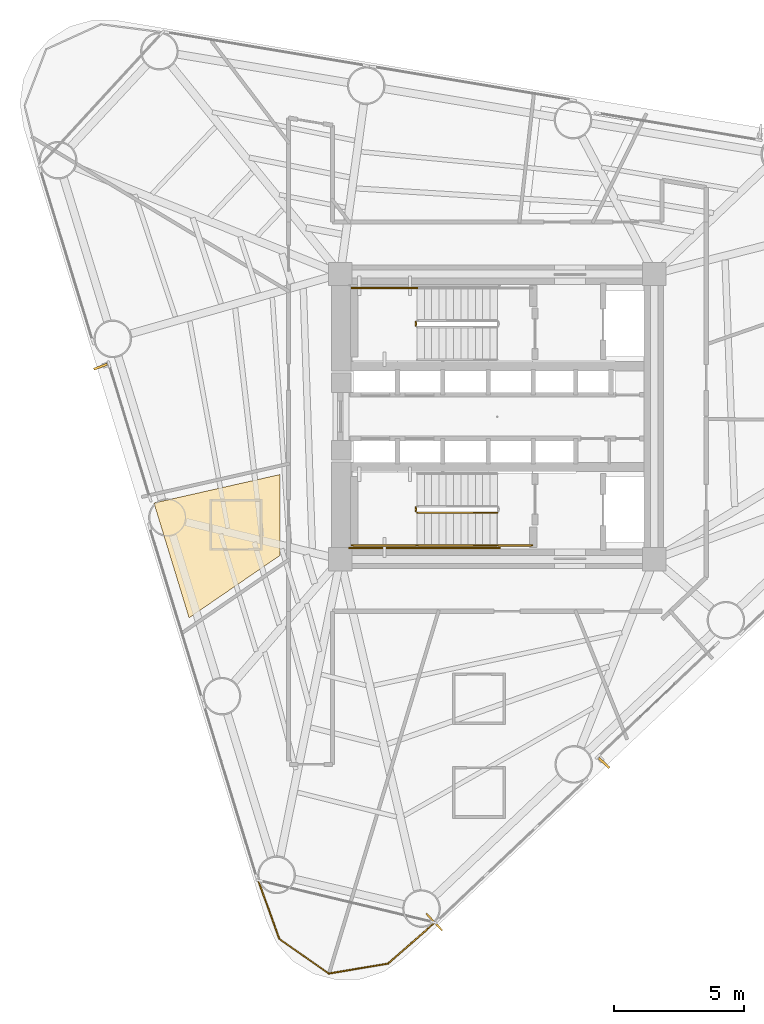
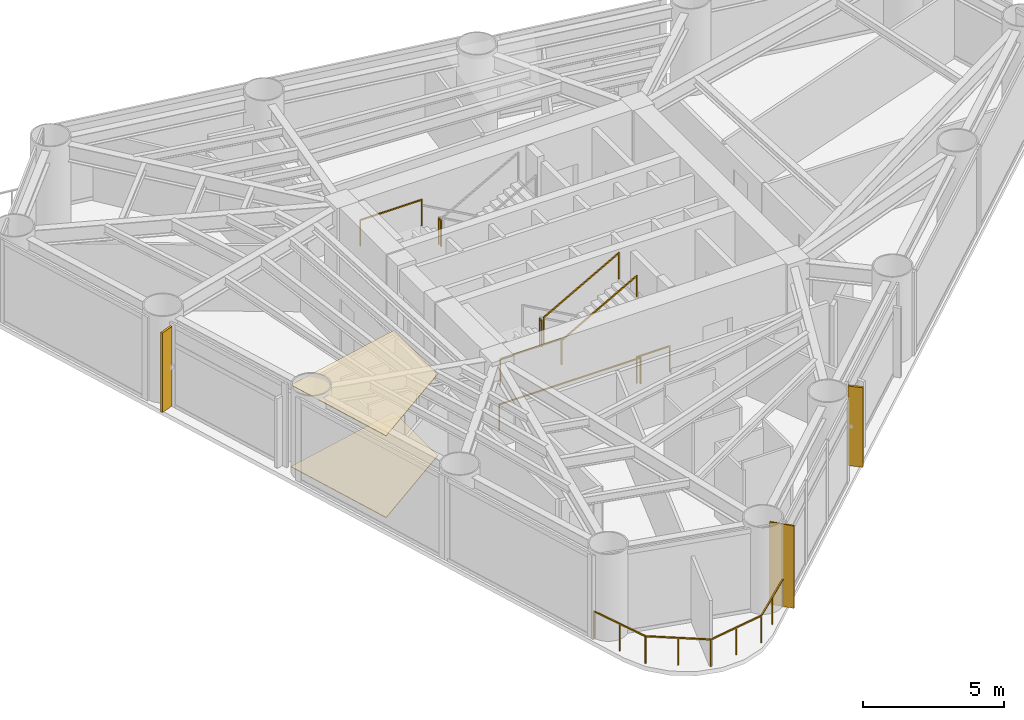
# One storey, part 8 of 10: 9 railings, 3 coverings, 2 shading devices.
"""IFC4 building model written with IfcOpenShell, lengths in metres."""

from ifc_helpers import new_model, si_unit, direction, frame, origin, origin_2d, place, context, subcontext, project, spatial, polyline, rectangle, outline, extrude, source, transform, mapped, material, layer, layer_set, material_profile, profile_set, type_object, element, save


model = new_model("IFC4")

# Units and contexts
model_context = context("Model", 3, precision=1e-05, world=origin(), true_north=direction((0.0, 1.0)))
body_context = subcontext(model_context, "Body", "Model", "MODEL_VIEW")
ifc_project = project(units=[si_unit("LENGTHUNIT", "METRE"), si_unit("AREAUNIT", "SQUARE_METRE"), si_unit("VOLUMEUNIT", "CUBIC_METRE"), si_unit("PLANEANGLEUNIT", "RADIAN"), si_unit("MASSUNIT", "GRAM", prefix="KILO")], contexts=[model_context])

# Site, building, storey
site_placement = place(None, origin())
site = spatial("IfcSite", under=ifc_project, at=site_placement, CompositionType="ELEMENT")
building_placement = place(site_placement, origin())
building = spatial("IfcBuilding", under=site, at=building_placement, Name="Yunling Apex Tower", CompositionType="ELEMENT")
storey_placement = place(building_placement, frame((0.0, 0.0, 89.89990234375)))
storey = spatial("IfcBuildingStorey", under=building, at=storey_placement, Name="L22", CompositionType="ELEMENT", Elevation=89.89990234375)

# Coverings
ifc_material_1 = material(Name="Acoustic mineral fibre ceiling")
ifc_layer_1 = layer(ifc_material_1, 0.02490234375)
ifc_layer_set_1 = layer_set([ifc_layer_1], Name="Acoustic mineral fibre ceiling")
covering_type_1 = type_object("IfcCoveringType", Name="CV-CLG-1", PredefinedType="CEILING", material=ifc_layer_set_1)
covering_1_placement = place(storey_placement, frame((0.0, 0.0, 3.5400390625)))
element("IfcCovering", 1, at=covering_1_placement, inside=storey, type_object=covering_type_1, Name="CV-CL-SP-L22-R01", PredefinedType="CEILING", context=body_context, shape_type="SweptSolid", body=[
    extrude(outline(polyline([(-13.23388671875, -3.327392578125), (-8.3798828125, -2.23095703125), (-8.3798828125, -5.349365234375), (-11.881103515625, -7.751708984375), (-13.23388671875, -3.327392578125)])), origin(), (0.0, 0.0, 1.0), 0.025146484375),
])
ifc_material_2 = material(Name="Polished granite stone", Category="masonry")
ifc_layer_2 = layer(ifc_material_2, 0.030029296875)
ifc_layer_set_2 = layer_set([ifc_layer_2], Name="Polished granite stone")
covering_type_2 = type_object("IfcCoveringType", Name="CV-FLR-1", PredefinedType="FLOORING", material=ifc_layer_set_2)
covering_2_placement = place(storey_placement, origin())
element("IfcCovering", 2, at=covering_2_placement, inside=storey, type_object=covering_type_2, Name="CV-FL-SP-L22-R01", PredefinedType="FLOORING", context=body_context, shape_type="SweptSolid", body=[
    extrude(outline(polyline([(-13.23388671875, -3.327392578125), (-8.3798828125, -2.23095703125), (-8.3798828125, -5.349365234375), (-11.881103515625, -7.751708984375), (-13.23388671875, -3.327392578125)])), origin(), (0.0, 0.0, 1.0), 0.030029296875),
])

# Railings
ifc_material_3 = material(Name="Bronze anodised aluminium", Category="aluminium")
railing_type_1 = type_object("IfcRailingType", Name="RL-BAL-1200", PredefinedType="BALUSTRADE", material=ifc_material_3)
railing_1_placement = place(storey_placement, frame((-2.412353515625, -19.497314453125, 0.0)))
element("IfcRailing", 3, at=railing_1_placement, inside=storey, type_object=railing_type_1, Name="RL-CRNSILL-L22-3", PredefinedType="BALUSTRADE", context=body_context, shape_type="SweptSolid", body=[
    extrude(rectangle(XDim=0.0439453125, YDim=0.0439453125, at=origin_2d()), origin(), (0.0, 0.0, 1.0), 1.199951171875),
    extrude(rectangle(XDim=0.0439453125, YDim=0.0439453125, at=origin_2d()), frame((-1.796630859375, -1.580078125, 0.0)), (0.0, 0.0, 1.0), 1.199951171875),
    extrude(rectangle(XDim=0.050048828125, YDim=0.050048828125, at=origin_2d()), frame((-0.02880859375, -0.025390625, 1.1748046875), z_axis=(-0.750911858274, -0.660402438748, 0.0), x_axis=(0.660402438748, -0.750911858274, 0.0)), (0.0, 0.0, 1.0), 2.31591796875),
    extrude(rectangle(XDim=0.0439453125, YDim=0.0439453125, at=origin_2d()), frame((-0.8984375, -0.7900390625, 0.0)), (0.0, 0.0, 1.0), 1.14599609375),
    extrude(rectangle(XDim=0.0439453125, YDim=0.0439453125, at=origin_2d()), frame((-4.085205078125, -1.96484375, 0.0)), (0.0, 0.0, 1.0), 1.199951171875),
    extrude(rectangle(XDim=0.050048828125, YDim=0.050048828125, at=origin_2d()), frame((-1.83447265625, -1.58642578125, 1.1748046875), z_axis=(-0.986159782391, -0.165797718908, 0.0), x_axis=(0.165797718908, -0.986159782391, 0.0)), (0.0, 0.0, 1.0), 2.244140625),
    extrude(rectangle(XDim=0.0439453125, YDim=0.0439453125, at=origin_2d()), frame((-2.94091796875, -1.7724609375, 0.0)), (0.0, 0.0, 1.0), 1.14599609375),
    extrude(rectangle(XDim=0.0439453125, YDim=0.0439453125, at=origin_2d()), frame((-5.991943359375, -0.62890625, 0.0)), (0.0, 0.0, 1.0), 1.199951171875),
    extrude(rectangle(XDim=0.050048828125, YDim=0.050048828125, at=origin_2d()), frame((-4.11669921875, -1.94287109375, 1.1748046875), z_axis=(-0.818985520809, 0.573814183081, 0.0), x_axis=(-0.573814183081, -0.818985520809, 0.0)), (0.0, 0.0, 1.0), 2.25146484375),
    extrude(rectangle(XDim=0.0439453125, YDim=0.0439453125, at=origin_2d()), frame((-5.03857421875, -1.296875, 0.0)), (0.0, 0.0, 1.0), 1.14599609375),
    extrude(rectangle(XDim=0.0439453125, YDim=0.0439453125, at=origin_2d()), frame((-6.80224609375, 1.62158203125, 0.0)), (0.0, 0.0, 1.0), 1.199951171875),
    extrude(rectangle(XDim=0.050048828125, YDim=0.050048828125, at=origin_2d()), frame((-6.0048828125, -0.5927734375, 1.1748046875), z_axis=(-0.338766454211, 0.940870495606, 0.0), x_axis=(-0.940870495606, -0.338766454211, 0.0)), (0.0, 0.0, 1.0), 2.315185546875),
    extrude(rectangle(XDim=0.0439453125, YDim=0.0439453125, at=origin_2d()), frame((-6.39697265625, 0.496337890625, 0.0)), (0.0, 0.0, 1.0), 1.14599609375),
])
ifc_material_4 = material(Name="Steel Q355B", Category="steel")
railing_type_2 = type_object("IfcRailingType", Name="RL-GRD-1150", PredefinedType="GUARDRAIL", material=ifc_material_4)
railing_2_placement = place(storey_placement, frame((-3.139892578125, 3.64990234375, 1.875)))
element("IfcRailing", 4, at=railing_2_placement, inside=storey, type_object=railing_type_2, Name="L22 ST-1 stair guard 2", PredefinedType="GUARDRAIL", context=body_context, shape_type="SweptSolid", body=[
    extrude(rectangle(XDim=0.0439453125, YDim=0.0439453125, at=origin_2d()), origin(), (0.0, 0.0, 1.0), 1.14990234375),
    extrude(rectangle(XDim=0.0439453125, YDim=0.0439453125, at=origin_2d()), frame((0.0, -0.14990234375, 0.0)), (0.0, 0.0, 1.0), 1.14990234375),
    extrude(rectangle(XDim=0.050048828125, YDim=0.050048828125, at=origin_2d()), frame((0.0, -0.038330078125, 1.125), z_axis=(0.0, -1.0, 0.0), x_axis=(1.0, 0.0, 0.0)), (0.0, 0.0, 1.0), 0.0732421875),
])
railing_3_placement = place(storey_placement, frame((-3.090087890625, 4.9599609375, 1.875)))
element("IfcRailing", 5, at=railing_3_placement, inside=storey, type_object=railing_type_2, Name="L22 ST-1 stair guard 3", PredefinedType="GUARDRAIL", context=body_context, shape_type="SweptSolid", body=[
    extrude(rectangle(XDim=0.0439453125, YDim=0.0439453125, at=origin_2d()), origin(), (0.0, 0.0, 1.0), 1.14990234375),
    extrude(rectangle(XDim=0.0439453125, YDim=0.0439453125, at=origin_2d()), frame((-2.510009765625, 0.0, 0.0)), (0.0, 0.0, 1.0), 1.14990234375),
    extrude(rectangle(XDim=0.050048828125, YDim=0.050048828125, at=origin_2d()), frame((-0.038330078125, 0.0, 1.125), z_axis=(-1.0, 0.0, 0.0), x_axis=(0.0, -1.0, 0.0)), (0.0, 0.0, 1.0), 2.433349609375),
])
railing_4_placement = place(storey_placement, frame((-3.139892578125, -3.5, 1.875)))
element("IfcRailing", 6, at=railing_4_placement, inside=storey, type_object=railing_type_2, Name="L22 ST-2 stair guard 2", PredefinedType="GUARDRAIL", context=body_context, shape_type="SweptSolid", body=[
    extrude(rectangle(XDim=0.0439453125, YDim=0.0439453125, at=origin_2d()), origin(), (0.0, 0.0, 1.0), 1.14990234375),
    extrude(rectangle(XDim=0.0439453125, YDim=0.0439453125, at=origin_2d()), frame((0.0, -0.14990234375, 0.0)), (0.0, 0.0, 1.0), 1.14990234375),
    extrude(rectangle(XDim=0.050048828125, YDim=0.050048828125, at=origin_2d()), frame((0.0, -0.038330078125, 1.125), z_axis=(0.0, -1.0, 0.0), x_axis=(1.0, 0.0, 0.0)), (0.0, 0.0, 1.0), 0.0732421875),
])
railing_5_placement = place(storey_placement, frame((-3.090087890625, -4.9599609375, 1.875)))
element("IfcRailing", 7, at=railing_5_placement, inside=storey, type_object=railing_type_2, Name="L22 ST-2 stair guard 3", PredefinedType="GUARDRAIL", context=body_context, shape_type="SweptSolid", body=[
    extrude(rectangle(XDim=0.0439453125, YDim=0.0439453125, at=origin_2d()), origin(), (0.0, 0.0, 1.0), 1.14990234375),
    extrude(rectangle(XDim=0.0439453125, YDim=0.0439453125, at=origin_2d()), frame((-2.510009765625, 0.0, 0.0)), (0.0, 0.0, 1.0), 1.14990234375),
    extrude(rectangle(XDim=0.050048828125, YDim=0.050048828125, at=origin_2d()), frame((-0.038330078125, 0.0, 1.125), z_axis=(-1.0, 0.0, 0.0), x_axis=(0.0, -1.0, 0.0)), (0.0, 0.0, 1.0), 2.433349609375),
])
railing_6_placement = place(storey_placement, frame((-3.090087890625, -3.699951171875, 2.03125)))
element("IfcRailing", 8, at=railing_6_placement, inside=storey, type_object=railing_type_2, Name="L22 ST-2 stair guard 4", PredefinedType="GUARDRAIL", context=body_context, shape_type="SweptSolid", body=[
    extrude(rectangle(XDim=0.0439453125, YDim=0.0439453125, at=origin_2d()), origin(), (0.0, 0.0, 1.0), 1.14990234375),
    extrude(rectangle(XDim=0.0439453125, YDim=0.0439453125, at=origin_2d()), frame((3.080078125, 0.0, 1.71875)), (0.0, 0.0, 1.0), 1.14990234375),
    extrude(rectangle(XDim=0.050048828125, YDim=0.050048828125, at=origin_2d()), frame((0.033447265625, 0.0, 1.1435546875), z_axis=(0.873241540666, 0.0, 0.487287606713), x_axis=(0.0, 1.0, 0.0)), (0.0, 0.0, 1.0), 3.450439453125),
])
railing_7_placement = place(storey_placement, frame((1.35009765625, -4.9599609375, 0.0)))
element("IfcRailing", 9, at=railing_7_placement, inside=storey, type_object=railing_type_2, Name="L22 ST-2 stair guard 6", PredefinedType="GUARDRAIL", context=body_context, shape_type="SweptSolid", body=[
    extrude(rectangle(XDim=0.0439453125, YDim=0.0439453125, at=origin_2d()), origin(), (0.0, 0.0, 1.0), 1.14990234375),
    extrude(rectangle(XDim=0.0439453125, YDim=0.0439453125, at=origin_2d()), frame((-1.360107421875, 0.0, 0.0)), (0.0, 0.0, 1.0), 1.14990234375),
    extrude(rectangle(XDim=0.050048828125, YDim=0.050048828125, at=origin_2d()), frame((-0.038330078125, 0.0, 1.125), z_axis=(-1.0, 0.0, 0.0), x_axis=(0.0, -1.0, 0.0)), (0.0, 0.0, 1.0), 1.283447265625),
])
railing_8_placement = place(storey_placement, frame((0.090087890625, -5.06005859375, 0.0)))
element("IfcRailing", 10, at=railing_8_placement, inside=storey, type_object=railing_type_2, Name="L22 ST-2 stair guard 7", PredefinedType="GUARDRAIL", context=body_context, shape_type="SweptSolid", body=[
    extrude(rectangle(XDim=0.0439453125, YDim=0.0439453125, at=origin_2d()), origin(), (0.0, 0.0, 1.0), 1.14990234375),
    extrude(rectangle(XDim=0.0439453125, YDim=0.0439453125, at=origin_2d()), frame((-5.7900390625, 0.0, 0.0)), (0.0, 0.0, 1.0), 1.14990234375),
    extrude(rectangle(XDim=0.050048828125, YDim=0.050048828125, at=origin_2d()), frame((-0.038330078125, 0.0, 1.125), z_axis=(-1.0, 0.0, 0.0), x_axis=(0.0, -1.0, 0.0)), (0.0, 0.0, 1.0), 5.71337890625),
])
ifc_material_5 = material(Name="Silver anodised aluminium", Category="aluminium")
railing_type_3 = type_object("IfcRailingType", Name="RL-HND-900", PredefinedType="HANDRAIL", material=ifc_material_5)
railing_9_placement = place(storey_placement, frame((-3.090087890625, -4.9599609375, 2.03125)))
element("IfcRailing", 11, at=railing_9_placement, inside=storey, type_object=railing_type_3, Name="L22 ST-2 stair handrail 2", PredefinedType="HANDRAIL", context=body_context, shape_type="SweptSolid", body=[
    extrude(rectangle(XDim=0.0439453125, YDim=0.0439453125, at=origin_2d()), origin(), (0.0, 0.0, 1.0), 0.919921875),
    extrude(rectangle(XDim=0.0439453125, YDim=0.0439453125, at=origin_2d()), frame((3.080078125, 0.0, 1.71875)), (0.0, 0.0, 1.0), 0.919921875),
    extrude(rectangle(XDim=0.050048828125, YDim=0.050048828125, at=origin_2d()), frame((0.033447265625, 0.0, 0.91357421875), z_axis=(0.873241540666, 0.0, 0.487287606713), x_axis=(0.0, 1.0, 0.0)), (0.0, 0.0, 1.0), 3.450439453125),
])

# Covering
ifc_layer_3 = layer(ifc_material_3, 0.0400390625)
ifc_layer_set_3 = layer_set([ifc_layer_3], Name="Bronze anodised aluminium")
covering_type_3 = type_object("IfcCoveringType", Name="CV-CLD-1", PredefinedType="CLADDING", material=ifc_layer_set_3)
shared_shape_1 = source(origin(), body_context, "Body", "SweptSolid", [
    extrude(rectangle(XDim=0.06005859375, YDim=0.89990234375, at=origin_2d()), origin(), (0.0, 0.0, 1.0), 3.56494140625),
])
covering_3_placement = place(storey_placement, frame((-2.4365234375, -19.4716796875, 0.000244140625), z_axis=(0.0, 0.0, 1.0), x_axis=(0.725854756355, 0.687848001144, 0.0)))
element("IfcCovering", 12, at=covering_3_placement, inside=storey, type_object=covering_type_3, Name="CV-CLD-L22", PredefinedType="CLADDING", context=body_context, shape_type="MappedRepresentation", body=[
    mapped(shared_shape_1, transform((0.0, 0.0, 0.0), scale=1.0)),
])

# Shading devices
ifc_material_profile = material_profile(ifc_material_3, rectangle(XDim=0.0849609375, YDim=0.550048828125, at=origin_2d()))
ifc_profile_set = profile_set([ifc_material_profile], Name="Bronze anodised aluminium")
shading_device_type = type_object("IfcShadingDeviceType", Name="FN-BRZ-3", PredefinedType="USERDEFINED", material=ifc_profile_set)
shared_shape_2 = source(origin(), body_context, "Body", "SweptSolid", [
    extrude(rectangle(XDim=0.0849609375, YDim=0.550048828125, at=origin_2d()), origin(), (0.0, 0.0, 1.0), 3.445068359375),
])
for number, where, z_axis, x_axis, name in (
    (13, (4.11376953125, -13.347412109375, 0.06005859375), (0.0, 0.0, 1.0), (0.679313233894, 0.733848438205, 0.0), "CW-L22-F1-B2-FIN-01"),
    (14, (-15.29443359375, 1.92529296875, 0.06005859375), (0.0, 0.0, 1.0), (0.354291037998, -0.935135209686, 0.0), "CW-L22-F3-B2-FIN-01"),
):
    element("IfcShadingDevice", number, at=place(storey_placement, frame(where, z_axis=z_axis, x_axis=x_axis)), inside=storey, type_object=shading_device_type, Name=name, ObjectType="FIN", PredefinedType="USERDEFINED", context=body_context, shape_type="MappedRepresentation", body=[
        mapped(shared_shape_2, transform((0.0, 0.0, 0.0), scale=1.0)),
    ])

save(model, "model.ifc")
